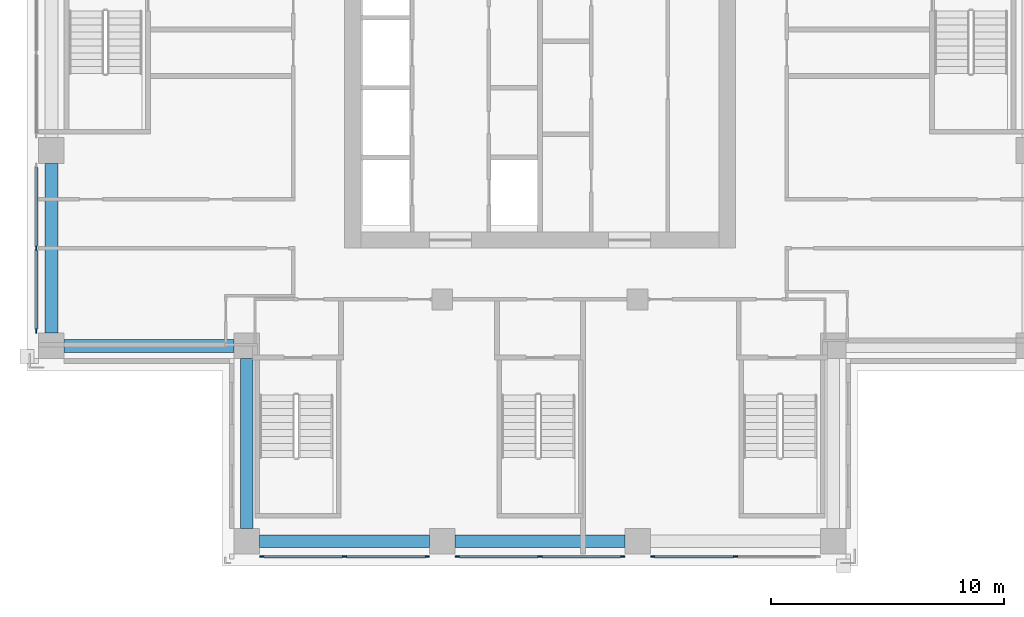
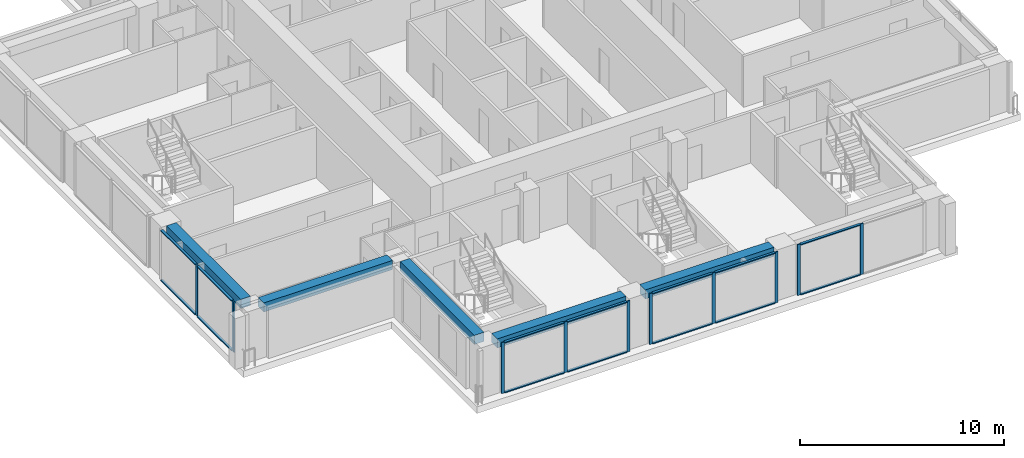
# One storey, part 2 of 16: 24 members, 5 beams, 4 elements without a shape of their own.
"""IFC4 building model written with IfcOpenShell, lengths in metres."""

from ifc_helpers import new_model, si_unit, direction, frame, origin, origin_2d, place, context, subcontext, project, spatial, rectangle, extrude, material, material_profile, profile_set, type_object, element, aggregate, save


model = new_model("IFC4")

# Units and contexts
model_context = context("Model", 3, precision=1e-05, world=origin(), true_north=direction((0.0, 1.0)))
body_context = subcontext(model_context, "Body", "Model", "MODEL_VIEW")
ifc_project = project(units=[si_unit("LENGTHUNIT", "METRE"), si_unit("AREAUNIT", "SQUARE_METRE"), si_unit("VOLUMEUNIT", "CUBIC_METRE"), si_unit("PLANEANGLEUNIT", "RADIAN"), si_unit("MASSUNIT", "GRAM", prefix="KILO")], contexts=[model_context])

# Site, building, storey
site_placement = place(None, origin())
site = spatial("IfcSite", under=ifc_project, at=site_placement, CompositionType="ELEMENT")
building_placement = place(site_placement, origin())
building = spatial("IfcBuilding", under=site, at=building_placement, Name="Vermilion Ogive Tower", CompositionType="ELEMENT")
storey_placement = place(building_placement, frame((0.0, 0.0, 160.699951171875)))
storey = spatial("IfcBuildingStorey", under=building, at=storey_placement, Name="L41", CompositionType="ELEMENT", Elevation=160.699951171875)

# Curtain wall, members
ifc_material_1 = material(Name="Low-iron laminated glazing in aluminium frame", Category="aluminium")
curtain_wall_type = type_object("IfcCurtainWallType", Name="Curtain wall CW7", PredefinedType="NOTDEFINED", material=ifc_material_1)
curtain_wall_1_placement = place(storey_placement, origin())
curtain_wall_1 = element("IfcCurtainWall", 1, at=curtain_wall_1_placement, inside=storey, type_object=curtain_wall_type, Name="Glazed skin S1", PredefinedType="NOTDEFINED")
ifc_material_2 = material(Name="Aluminium mullion", Category="aluminium")
ifc_material_profile_1 = material_profile(ifc_material_2, rectangle(XDim=0.06005859375, YDim=0.179931640625, at=origin_2d()), Name="AL 60x180")
ifc_profile_set_1 = profile_set([ifc_material_profile_1], Name="Aluminium mullion")
member_type_1 = type_object("IfcMemberType", Name="CW7 mullion 60x180", PredefinedType="MULLION", material=ifc_profile_set_1)
member_1_placement = place(storey_placement, frame((-11.9599609375, -21.64990234375, 0.0), z_axis=(0.0, 0.0, 1.0), x_axis=(0.0, 1.0, 0.0)))
member_1 = element("IfcMember", 2, at=member_1_placement, type_object=member_type_1, Name="CW7-S1 mullion 1", PredefinedType="MULLION", context=body_context, shape_type="SweptSolid", body=[
    extrude(rectangle(XDim=0.06005859375, YDim=0.179931640625, at=origin_2d()), origin(), (0.0, 0.0, 1.0), 3.050048828125),
])
member_2_placement = place(storey_placement, frame((-8.39990234375, -21.64990234375, 0.0), z_axis=(0.0, 0.0, 1.0), x_axis=(0.0, 1.0, 0.0)))
member_2 = element("IfcMember", 3, at=member_2_placement, type_object=member_type_1, Name="CW7-S1 mullion 2", PredefinedType="MULLION", context=body_context, shape_type="SweptSolid", body=[
    extrude(rectangle(XDim=0.06005859375, YDim=0.179931640625, at=origin_2d()), origin(), (0.0, 0.0, 1.0), 3.050048828125),
])
member_3_placement = place(storey_placement, frame((-4.840087890625, -21.64990234375, 0.0), z_axis=(0.0, 0.0, 1.0), x_axis=(0.0, 1.0, 0.0)))
member_3 = element("IfcMember", 4, at=member_3_placement, type_object=member_type_1, Name="CW7-S1 mullion 3", PredefinedType="MULLION", context=body_context, shape_type="SweptSolid", body=[
    extrude(rectangle(XDim=0.06005859375, YDim=0.179931640625, at=origin_2d()), origin(), (0.0, 0.0, 1.0), 3.050048828125),
])

curtain_wall_2_placement = place(storey_placement, origin())
curtain_wall_2 = element("IfcCurtainWall", 5, at=curtain_wall_2_placement, inside=storey, type_object=curtain_wall_type, Name="Glazed skin S2", PredefinedType="NOTDEFINED")
member_4_placement = place(storey_placement, frame((-3.56005859375, -21.64990234375, 0.0), z_axis=(0.0, 0.0, 1.0), x_axis=(0.0, 1.0, 0.0)))
member_4 = element("IfcMember", 6, at=member_4_placement, type_object=member_type_1, Name="CW7-S2 mullion 1", PredefinedType="MULLION", context=body_context, shape_type="SweptSolid", body=[
    extrude(rectangle(XDim=0.06005859375, YDim=0.179931640625, at=origin_2d()), origin(), (0.0, 0.0, 1.0), 3.050048828125),
])
member_5_placement = place(storey_placement, frame((0.0, -21.64990234375, 0.0), z_axis=(0.0, 0.0, 1.0), x_axis=(0.0, 1.0, 0.0)))
member_5 = element("IfcMember", 7, at=member_5_placement, type_object=member_type_1, Name="CW7-S2 mullion 2", PredefinedType="MULLION", context=body_context, shape_type="SweptSolid", body=[
    extrude(rectangle(XDim=0.06005859375, YDim=0.179931640625, at=origin_2d()), origin(), (0.0, 0.0, 1.0), 3.050048828125),
])
member_6_placement = place(storey_placement, frame((3.56005859375, -21.64990234375, 0.0), z_axis=(0.0, 0.0, 1.0), x_axis=(0.0, 1.0, 0.0)))
member_6 = element("IfcMember", 8, at=member_6_placement, type_object=member_type_1, Name="CW7-S2 mullion 3", PredefinedType="MULLION", context=body_context, shape_type="SweptSolid", body=[
    extrude(rectangle(XDim=0.06005859375, YDim=0.179931640625, at=origin_2d()), origin(), (0.0, 0.0, 1.0), 3.050048828125),
])

curtain_wall_3_placement = place(storey_placement, origin())
curtain_wall_3 = element("IfcCurtainWall", 9, at=curtain_wall_3_placement, inside=storey, type_object=curtain_wall_type, Name="Glazed skin S3", PredefinedType="NOTDEFINED")
member_7_placement = place(storey_placement, frame((4.840087890625, -21.64990234375, 0.0), z_axis=(0.0, 0.0, 1.0), x_axis=(0.0, 1.0, 0.0)))
member_7 = element("IfcMember", 10, at=member_7_placement, type_object=member_type_1, Name="CW7-S3 mullion 1", PredefinedType="MULLION", context=body_context, shape_type="SweptSolid", body=[
    extrude(rectangle(XDim=0.06005859375, YDim=0.179931640625, at=origin_2d()), origin(), (0.0, 0.0, 1.0), 3.050048828125),
])
member_8_placement = place(storey_placement, frame((8.39990234375, -21.64990234375, 0.0), z_axis=(0.0, 0.0, 1.0), x_axis=(0.0, 1.0, 0.0)))
member_8 = element("IfcMember", 11, at=member_8_placement, type_object=member_type_1, Name="CW7-S3 mullion 2", PredefinedType="MULLION", context=body_context, shape_type="SweptSolid", body=[
    extrude(rectangle(XDim=0.06005859375, YDim=0.179931640625, at=origin_2d()), origin(), (0.0, 0.0, 1.0), 3.050048828125),
])

curtain_wall_4_placement = place(storey_placement, origin())
curtain_wall_4 = element("IfcCurtainWall", 12, at=curtain_wall_4_placement, inside=storey, type_object=curtain_wall_type, Name="Glazed skin W3", PredefinedType="NOTDEFINED")
member_9_placement = place(storey_placement, frame((-21.64990234375, -8.39990234375, 0.0), z_axis=(0.0, 0.0, 1.0), x_axis=(1.0, 0.0, 0.0)))
member_9 = element("IfcMember", 13, at=member_9_placement, type_object=member_type_1, Name="CW7-W3 mullion 2", PredefinedType="MULLION", context=body_context, shape_type="SweptSolid", body=[
    extrude(rectangle(XDim=0.06005859375, YDim=0.179931640625, at=origin_2d()), origin(), (0.0, 0.0, 1.0), 3.050048828125),
])
member_10_placement = place(storey_placement, frame((-21.64990234375, -11.9599609375, 0.0), z_axis=(0.0, 0.0, 1.0), x_axis=(1.0, 0.0, 0.0)))
member_10 = element("IfcMember", 14, at=member_10_placement, type_object=member_type_1, Name="CW7-W3 mullion 3", PredefinedType="MULLION", context=body_context, shape_type="SweptSolid", body=[
    extrude(rectangle(XDim=0.06005859375, YDim=0.179931640625, at=origin_2d()), origin(), (0.0, 0.0, 1.0), 3.050048828125),
])

# Member
ifc_material_3 = material(Name="Aluminium transom", Category="aluminium")
ifc_material_profile_2 = material_profile(ifc_material_3, rectangle(XDim=0.139892578125, YDim=0.06005859375, at=origin_2d()), Name="AL 60x140")
ifc_profile_set_2 = profile_set([ifc_material_profile_2], Name="Aluminium transom")
member_type_2 = type_object("IfcMemberType", Name="CW7 transom 60x140", PredefinedType="USERDEFINED", material=ifc_profile_set_2)
member_11_placement = place(storey_placement, frame((-11.8701171875, -21.64990234375, 0.030029296875), z_axis=(1.0, 0.0, 0.0), x_axis=(0.0, 1.0, 0.0)))
member_11 = element("IfcMember", 15, at=member_11_placement, type_object=member_type_2, Name="CW7-S1 transom 1.1", ObjectType="TRANSOM", PredefinedType="USERDEFINED", context=body_context, shape_type="SweptSolid", body=[
    extrude(rectangle(XDim=0.139892578125, YDim=0.06005859375, at=origin_2d()), origin(), (0.0, 0.0, 1.0), 3.380126953125),
])

member_12_placement = place(storey_placement, frame((-11.8701171875, -21.64990234375, 3.02001953125), z_axis=(1.0, 0.0, 0.0), x_axis=(0.0, 1.0, 0.0)))
member_12 = element("IfcMember", 16, at=member_12_placement, type_object=member_type_2, Name="CW7-S1 transom 1.2", ObjectType="TRANSOM", PredefinedType="USERDEFINED", context=body_context, shape_type="SweptSolid", body=[
    extrude(rectangle(XDim=0.139892578125, YDim=0.06005859375, at=origin_2d()), origin(), (0.0, 0.0, 1.0), 3.380126953125),
])

member_13_placement = place(storey_placement, frame((-8.31005859375, -21.64990234375, 0.030029296875), z_axis=(1.0, 0.0, 0.0), x_axis=(0.0, 1.0, 0.0)))
member_13 = element("IfcMember", 17, at=member_13_placement, type_object=member_type_2, Name="CW7-S1 transom 2.1", ObjectType="TRANSOM", PredefinedType="USERDEFINED", context=body_context, shape_type="SweptSolid", body=[
    extrude(rectangle(XDim=0.139892578125, YDim=0.06005859375, at=origin_2d()), origin(), (0.0, 0.0, 1.0), 3.380126953125),
])

member_14_placement = place(storey_placement, frame((-8.31005859375, -21.64990234375, 3.02001953125), z_axis=(1.0, 0.0, 0.0), x_axis=(0.0, 1.0, 0.0)))
member_14 = element("IfcMember", 18, at=member_14_placement, type_object=member_type_2, Name="CW7-S1 transom 2.2", ObjectType="TRANSOM", PredefinedType="USERDEFINED", context=body_context, shape_type="SweptSolid", body=[
    extrude(rectangle(XDim=0.139892578125, YDim=0.06005859375, at=origin_2d()), origin(), (0.0, 0.0, 1.0), 3.380126953125),
])

aggregate(curtain_wall_1, [member_1, member_2, member_3, member_11, member_12, member_13, member_14])

member_15_placement = place(storey_placement, frame((-3.469970703125, -21.64990234375, 0.030029296875), z_axis=(1.0, 0.0, 0.0), x_axis=(0.0, 1.0, 0.0)))
member_15 = element("IfcMember", 19, at=member_15_placement, type_object=member_type_2, Name="CW7-S2 transom 1.1", ObjectType="TRANSOM", PredefinedType="USERDEFINED", context=body_context, shape_type="SweptSolid", body=[
    extrude(rectangle(XDim=0.139892578125, YDim=0.06005859375, at=origin_2d()), origin(), (0.0, 0.0, 1.0), 3.3798828125),
])

member_16_placement = place(storey_placement, frame((-3.469970703125, -21.64990234375, 3.02001953125), z_axis=(1.0, 0.0, 0.0), x_axis=(0.0, 1.0, 0.0)))
member_16 = element("IfcMember", 20, at=member_16_placement, type_object=member_type_2, Name="CW7-S2 transom 1.2", ObjectType="TRANSOM", PredefinedType="USERDEFINED", context=body_context, shape_type="SweptSolid", body=[
    extrude(rectangle(XDim=0.139892578125, YDim=0.06005859375, at=origin_2d()), origin(), (0.0, 0.0, 1.0), 3.3798828125),
])

member_17_placement = place(storey_placement, frame((0.090087890625, -21.64990234375, 0.030029296875), z_axis=(1.0, 0.0, 0.0), x_axis=(0.0, 1.0, 0.0)))
member_17 = element("IfcMember", 21, at=member_17_placement, type_object=member_type_2, Name="CW7-S2 transom 2.1", ObjectType="TRANSOM", PredefinedType="USERDEFINED", context=body_context, shape_type="SweptSolid", body=[
    extrude(rectangle(XDim=0.139892578125, YDim=0.06005859375, at=origin_2d()), origin(), (0.0, 0.0, 1.0), 3.3798828125),
])

member_18_placement = place(storey_placement, frame((0.090087890625, -21.64990234375, 3.02001953125), z_axis=(1.0, 0.0, 0.0), x_axis=(0.0, 1.0, 0.0)))
member_18 = element("IfcMember", 22, at=member_18_placement, type_object=member_type_2, Name="CW7-S2 transom 2.2", ObjectType="TRANSOM", PredefinedType="USERDEFINED", context=body_context, shape_type="SweptSolid", body=[
    extrude(rectangle(XDim=0.139892578125, YDim=0.06005859375, at=origin_2d()), origin(), (0.0, 0.0, 1.0), 3.3798828125),
])

aggregate(curtain_wall_2, [member_4, member_5, member_6, member_15, member_16, member_17, member_18])

member_19_placement = place(storey_placement, frame((4.929931640625, -21.64990234375, 0.030029296875), z_axis=(1.0, 0.0, 0.0), x_axis=(0.0, 1.0, 0.0)))
member_19 = element("IfcMember", 23, at=member_19_placement, type_object=member_type_2, Name="CW7-S3 transom 1.1", ObjectType="TRANSOM", PredefinedType="USERDEFINED", context=body_context, shape_type="SweptSolid", body=[
    extrude(rectangle(XDim=0.139892578125, YDim=0.06005859375, at=origin_2d()), origin(), (0.0, 0.0, 1.0), 3.380126953125),
])

member_20_placement = place(storey_placement, frame((4.929931640625, -21.64990234375, 3.02001953125), z_axis=(1.0, 0.0, 0.0), x_axis=(0.0, 1.0, 0.0)))
member_20 = element("IfcMember", 24, at=member_20_placement, type_object=member_type_2, Name="CW7-S3 transom 1.2", ObjectType="TRANSOM", PredefinedType="USERDEFINED", context=body_context, shape_type="SweptSolid", body=[
    extrude(rectangle(XDim=0.139892578125, YDim=0.06005859375, at=origin_2d()), origin(), (0.0, 0.0, 1.0), 3.380126953125),
])

aggregate(curtain_wall_3, [member_7, member_8, member_19, member_20])

member_21_placement = place(storey_placement, frame((-21.64990234375, -4.929931640625, 0.030029296875), z_axis=(0.0, -1.0, 0.0), x_axis=(1.0, 0.0, 0.0)))
member_21 = element("IfcMember", 25, at=member_21_placement, type_object=member_type_2, Name="CW7-W3 transom 1.1", ObjectType="TRANSOM", PredefinedType="USERDEFINED", context=body_context, shape_type="SweptSolid", body=[
    extrude(rectangle(XDim=0.139892578125, YDim=0.06005859375, at=origin_2d()), origin(), (0.0, 0.0, 1.0), 3.380126953125),
])

member_22_placement = place(storey_placement, frame((-21.64990234375, -4.929931640625, 3.02001953125), z_axis=(0.0, -1.0, 0.0), x_axis=(1.0, 0.0, 0.0)))
member_22 = element("IfcMember", 26, at=member_22_placement, type_object=member_type_2, Name="CW7-W3 transom 1.2", ObjectType="TRANSOM", PredefinedType="USERDEFINED", context=body_context, shape_type="SweptSolid", body=[
    extrude(rectangle(XDim=0.139892578125, YDim=0.06005859375, at=origin_2d()), origin(), (0.0, 0.0, 1.0), 3.380126953125),
])

member_23_placement = place(storey_placement, frame((-21.64990234375, -8.489990234375, 0.030029296875), z_axis=(0.0, -1.0, 0.0), x_axis=(1.0, 0.0, 0.0)))
member_23 = element("IfcMember", 27, at=member_23_placement, type_object=member_type_2, Name="CW7-W3 transom 2.1", ObjectType="TRANSOM", PredefinedType="USERDEFINED", context=body_context, shape_type="SweptSolid", body=[
    extrude(rectangle(XDim=0.139892578125, YDim=0.06005859375, at=origin_2d()), origin(), (0.0, 0.0, 1.0), 3.380126953125),
])

member_24_placement = place(storey_placement, frame((-21.64990234375, -8.489990234375, 3.02001953125), z_axis=(0.0, -1.0, 0.0), x_axis=(1.0, 0.0, 0.0)))
member_24 = element("IfcMember", 28, at=member_24_placement, type_object=member_type_2, Name="CW7-W3 transom 2.2", ObjectType="TRANSOM", PredefinedType="USERDEFINED", context=body_context, shape_type="SweptSolid", body=[
    extrude(rectangle(XDim=0.139892578125, YDim=0.06005859375, at=origin_2d()), origin(), (0.0, 0.0, 1.0), 3.380126953125),
])

aggregate(curtain_wall_4, [member_9, member_10, member_21, member_22, member_23, member_24])

# Beams
ifc_material_4 = material(Name="Concrete B45", Category="concrete")
ifc_material_profile_3 = material_profile(ifc_material_4, rectangle(XDim=0.550048828125, YDim=0.550048828125, at=origin_2d()), Name="550 x 550")
ifc_profile_set_3 = profile_set([ifc_material_profile_3], Name="Concrete B45")
beam_type = type_object("IfcBeamType", Name="Edge beam 550 x 550 B45", PredefinedType="BEAM", material=ifc_profile_set_3)
beam_1_placement = place(storey_placement, frame((-12.050048828125, -21.0, 2.775146484375), z_axis=(1.0, 0.0, 0.0), x_axis=(0.0, 1.0, 0.0)))
element("IfcBeam", 29, at=beam_1_placement, inside=storey, type_object=beam_type, Name="L41-EB-1", PredefinedType="BEAM", context=body_context, shape_type="SweptSolid", body=[
    extrude(rectangle(XDim=0.550048828125, YDim=0.550048828125, at=origin_2d()), origin(), (0.0, 0.0, 1.0), 7.300048828125),
])
beam_2_placement = place(storey_placement, frame((-3.64990234375, -21.0, 2.775146484375), z_axis=(1.0, 0.0, 0.0), x_axis=(0.0, 1.0, 0.0)))
element("IfcBeam", 30, at=beam_2_placement, inside=storey, type_object=beam_type, Name="L41-EB-2", PredefinedType="BEAM", context=body_context, shape_type="SweptSolid", body=[
    extrude(rectangle(XDim=0.550048828125, YDim=0.550048828125, at=origin_2d()), origin(), (0.0, 0.0, 1.0), 7.2998046875),
])
for number, where, z_axis, x_axis, name in (
    (31, (-21.0, -4.75, 2.775146484375), (0.0, -1.0, 0.0), (1.0, 0.0, 0.0), "L41-EB-15"),
    (32, (-20.449951171875, -12.60009765625, 2.775146484375), (1.0, 0.0, 0.0), (0.0, 1.0, 0.0), "L41-EB-16"),
    (33, (-12.60009765625, -13.14990234375, 2.775146484375), (0.0, -1.0, 0.0), (1.0, 0.0, 0.0), "L41-EB-17"),
):
    element("IfcBeam", number, at=place(storey_placement, frame(where, z_axis=z_axis, x_axis=x_axis)), inside=storey, type_object=beam_type, Name=name, PredefinedType="BEAM", context=body_context, shape_type="SweptSolid", body=[
        extrude(rectangle(XDim=0.550048828125, YDim=0.550048828125, at=origin_2d()), origin(), (0.0, 0.0, 1.0), 7.300048828125),
    ])

save(model, "model.ifc")
